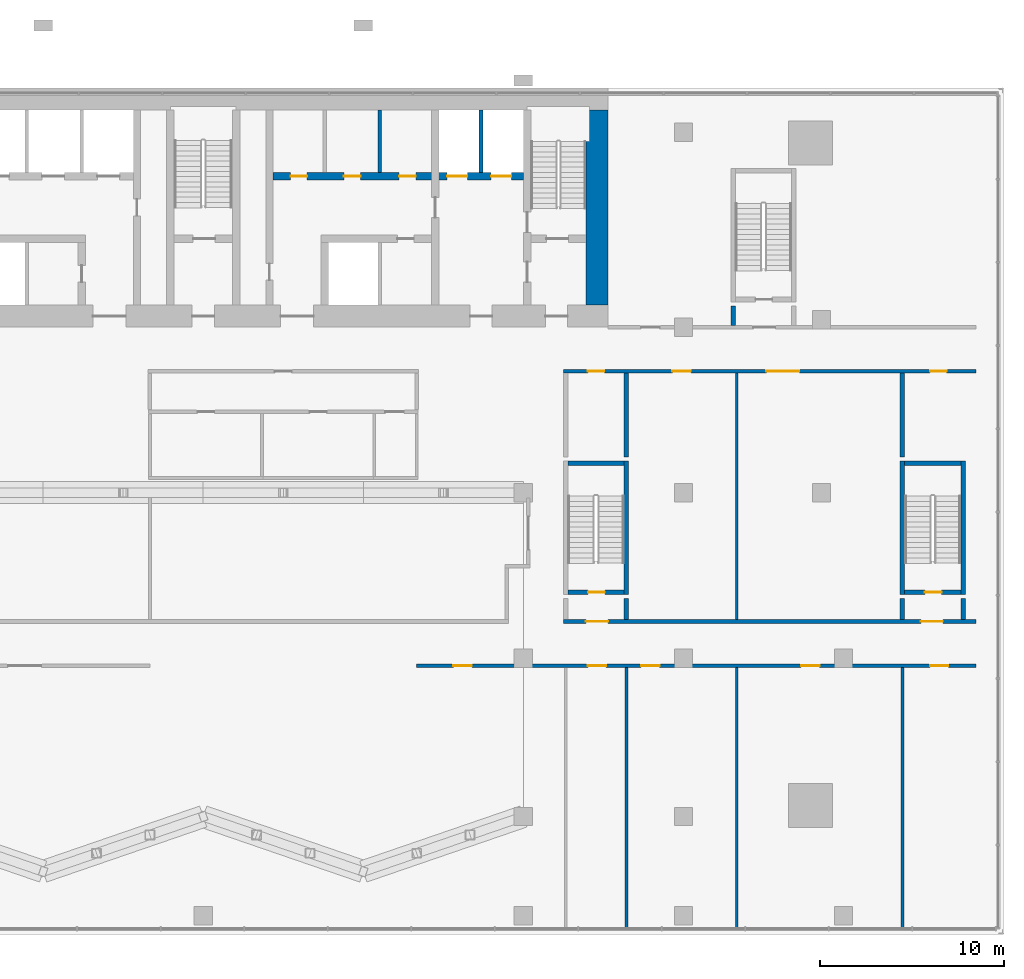
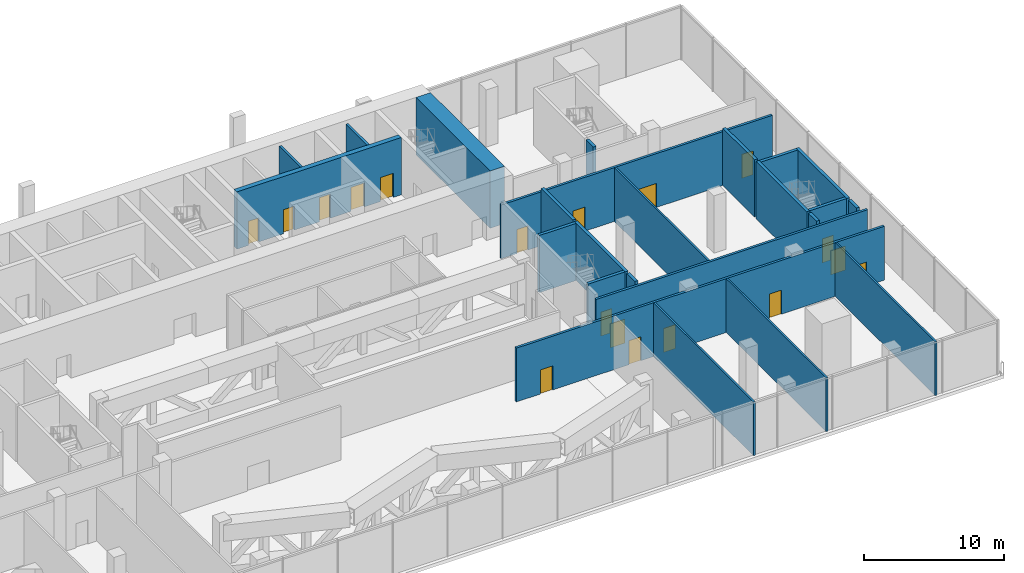
# One storey, part 16 of 22: 24 walls, 18 doors, 18 openings.
"""IFC4 building model written with IfcOpenShell, lengths in metres."""

from ifc_helpers import new_model, si_unit, direction, frame, frame_2d, origin, place, context, subcontext, project, spatial, rectangle, extrude, material, layer, layer_set, type_object, element, fill, save


model = new_model("IFC4")

# Units and contexts
model_context = context("Model", 3, precision=1e-05, world=origin(), true_north=direction((0.0, 1.0)))
body_context = subcontext(model_context, "Body", "Model", "MODEL_VIEW")
ifc_project = project(units=[si_unit("LENGTHUNIT", "METRE"), si_unit("AREAUNIT", "SQUARE_METRE"), si_unit("VOLUMEUNIT", "CUBIC_METRE"), si_unit("PLANEANGLEUNIT", "RADIAN"), si_unit("MASSUNIT", "GRAM", prefix="KILO")], contexts=[model_context])

# Site, building, storey
site_placement = place(None, origin())
site = spatial("IfcSite", under=ifc_project, at=site_placement, CompositionType="ELEMENT")
building_placement = place(site_placement, origin())
building = spatial("IfcBuilding", under=site, at=building_placement, Name="Bicima Exchange Tower", CompositionType="ELEMENT")
storey_placement = place(building_placement, frame((0.0, 0.0, 20.0)))
storey = spatial("IfcBuildingStorey", under=building, at=storey_placement, Name="L03", CompositionType="ELEMENT", Elevation=20.0)

# Wall
ifc_material_1 = material(Name="Gypsum board partition")
ifc_layer_1 = layer(ifc_material_1, 0.199951171875)
ifc_layer_set_1 = layer_set([ifc_layer_1], Name="Gypsum board partition")
wall_type_1 = type_object("IfcWallType", Name="Fire-rated gypsum partition 200 EI120", PredefinedType="PARTITIONING", material=ifc_layer_set_1)
wall_1_placement = place(storey_placement, frame((15.10009765625, -4.60009765625, 0.0), z_axis=(0.0, 0.0, 1.0), x_axis=(0.0, 1.0, 0.0)))
element("IfcWall", 1, at=wall_1_placement, inside=storey, type_object=wall_type_1, Name="partition wall 24", PredefinedType="PARTITIONING", context=body_context, shape_type="SweptSolid", body=[
    extrude(rectangle(XDim=3.400146484375, YDim=0.199951171875, at=frame_2d((1.7001953125, 0.0))), origin(), (0.0, 0.0, 1.0), 4.699951171875),
])

# Wall, openings, doors
ifc_layer_2 = layer(ifc_material_1, 0.199951171875)
ifc_layer_set_2 = layer_set([ifc_layer_2], Name="Gypsum board partition")
wall_type_2 = type_object("IfcWallType", Name="Fire-rated gypsum partition 200 EI60", PredefinedType="PARTITIONING", material=ifc_layer_set_2)
wall_2_placement = place(storey_placement, frame((11.60009765625, -31.39990234375, 0.0), z_axis=(0.0, 0.0, 1.0), x_axis=(1.0, 0.0, 0.0)))
wall_2 = element("IfcWall", 2, at=wall_2_placement, inside=storey, type_object=wall_type_2, Name="partition wall 2", PredefinedType="PARTITIONING", context=body_context, shape_type="SweptSolid", body=[
    extrude(rectangle(XDim=30.39990234375, YDim=0.199951171875, at=frame_2d((15.199951171875, 0.0))), origin(), (0.0, 0.0, 1.0), 4.699951171875),
])
opening_1_placement = place(wall_2_placement, frame((2.0, 0.0, 0.0)))
opening_1 = element("IfcOpeningElement", 3, at=opening_1_placement, cuts=wall_2, Name="Opening L03-030", PredefinedType="OPENING", context=body_context, shape_type="SweptSolid", body=[
    extrude(rectangle(XDim=1.0, YDim=2.10009765625, at=frame_2d((0.5, 1.050048828125))), frame((0.0, 0.11181640625, 0.0), z_axis=(0.0, -1.0, 0.0), x_axis=(1.0, 0.0, 0.0)), (0.0, 0.0, 1.0), 0.223876953125),
])
opening_2_placement = place(wall_2_placement, frame((9.300048828125, 0.0, 0.0)))
opening_2 = element("IfcOpeningElement", 4, at=opening_2_placement, cuts=wall_2, Name="Opening L03-032", PredefinedType="OPENING", context=body_context, shape_type="SweptSolid", body=[
    extrude(rectangle(XDim=1.0, YDim=2.10009765625, at=frame_2d((0.5, 1.050048828125))), frame((0.0, 0.11181640625, 0.0), z_axis=(0.0, -1.0, 0.0), x_axis=(1.0, 0.0, 0.0)), (0.0, 0.0, 1.0), 0.223876953125),
])
opening_3_placement = place(wall_2_placement, frame((12.199951171875, 0.0, 0.0)))
opening_3 = element("IfcOpeningElement", 5, at=opening_3_placement, cuts=wall_2, Name="Opening L03-034", PredefinedType="OPENING", context=body_context, shape_type="SweptSolid", body=[
    extrude(rectangle(XDim=1.0, YDim=2.10009765625, at=frame_2d((0.5, 1.050048828125))), frame((0.0, 0.11181640625, 0.0), z_axis=(0.0, -1.0, 0.0), x_axis=(1.0, 0.0, 0.0)), (0.0, 0.0, 1.0), 0.223876953125),
])
opening_4_placement = place(wall_2_placement, frame((20.89990234375, 0.0, 0.0)))
opening_4 = element("IfcOpeningElement", 6, at=opening_4_placement, cuts=wall_2, Name="Opening L03-036", PredefinedType="OPENING", context=body_context, shape_type="SweptSolid", body=[
    extrude(rectangle(XDim=1.0, YDim=2.10009765625, at=frame_2d((0.5, 1.050048828125))), frame((0.0, 0.11181640625, 0.0), z_axis=(0.0, -1.0, 0.0), x_axis=(1.0, 0.0, 0.0)), (0.0, 0.0, 1.0), 0.223876953125),
])
opening_5_placement = place(wall_2_placement, frame((27.89990234375, 0.0, 0.0)))
opening_5 = element("IfcOpeningElement", 7, at=opening_5_placement, cuts=wall_2, Name="Opening L03-038", PredefinedType="OPENING", context=body_context, shape_type="SweptSolid", body=[
    extrude(rectangle(XDim=1.0, YDim=2.10009765625, at=frame_2d((0.5, 1.050048828125))), frame((0.0, 0.11181640625, 0.0), z_axis=(0.0, -1.0, 0.0), x_axis=(1.0, 0.0, 0.0)), (0.0, 0.0, 1.0), 0.223876953125),
])
ifc_material_2 = material(Name="Steel fire door leaf", Category="steel")
door_type_1 = type_object("IfcDoorType", Name="Door 1000 swing FD30S", OperationType="SINGLE_SWING_LEFT", PredefinedType="DOOR", material=ifc_material_2)
door_1_placement = place(opening_1_placement, frame((1.0, 0.0, 0.0), z_axis=(0.0, 0.0, 1.0), x_axis=(-1.0, 0.0, 0.0)))
door_1 = element("IfcDoor", 8, at=door_1_placement, inside=storey, type_object=door_type_1, Name="Door", OperationType="SINGLE_SWING_RIGHT", OverallHeight=2.10009765625, OverallWidth=1.0, PredefinedType="DOOR", context=body_context, shape_type="SweptSolid", body=[
    extrude(rectangle(XDim=1.0, YDim=2.10009765625, at=frame_2d((0.5, 1.050048828125))), frame((0.0, 0.02490234375, 0.0), z_axis=(0.0, -1.0, 0.0), x_axis=(1.0, 0.0, 0.0)), (0.0, 0.0, 1.0), 0.050048828125),
])
fill(opening_1, door_1)
door_2_placement = place(opening_2_placement, frame((1.0, 0.0, 0.0), z_axis=(0.0, 0.0, 1.0), x_axis=(-1.0, 0.0, 0.0)))
door_2 = element("IfcDoor", 9, at=door_2_placement, inside=storey, type_object=door_type_1, Name="Door", OperationType="SINGLE_SWING_RIGHT", OverallHeight=2.10009765625, OverallWidth=1.0, PredefinedType="DOOR", context=body_context, shape_type="SweptSolid", body=[
    extrude(rectangle(XDim=1.0, YDim=2.10009765625, at=frame_2d((0.5, 1.050048828125))), frame((0.0, 0.02490234375, 0.0), z_axis=(0.0, -1.0, 0.0), x_axis=(1.0, 0.0, 0.0)), (0.0, 0.0, 1.0), 0.050048828125),
])
fill(opening_2, door_2)
door_3_placement = place(opening_3_placement, frame((1.0, 0.0, 0.0), z_axis=(0.0, 0.0, 1.0), x_axis=(-1.0, 0.0, 0.0)))
door_3 = element("IfcDoor", 10, at=door_3_placement, inside=storey, type_object=door_type_1, Name="Door", OperationType="SINGLE_SWING_LEFT", OverallHeight=2.10009765625, OverallWidth=1.0, PredefinedType="DOOR", context=body_context, shape_type="SweptSolid", body=[
    extrude(rectangle(XDim=1.0, YDim=2.10009765625, at=frame_2d((0.5, 1.050048828125))), frame((0.0, 0.02490234375, 0.0), z_axis=(0.0, -1.0, 0.0), x_axis=(1.0, 0.0, 0.0)), (0.0, 0.0, 1.0), 0.050048828125),
])
fill(opening_3, door_3)
door_4_placement = place(opening_4_placement, frame((1.0, 0.0, 0.0), z_axis=(0.0, 0.0, 1.0), x_axis=(-1.0, 0.0, 0.0)))
door_4 = element("IfcDoor", 11, at=door_4_placement, inside=storey, type_object=door_type_1, Name="Door", OperationType="SINGLE_SWING_RIGHT", OverallHeight=2.10009765625, OverallWidth=1.0, PredefinedType="DOOR", context=body_context, shape_type="SweptSolid", body=[
    extrude(rectangle(XDim=1.0, YDim=2.10009765625, at=frame_2d((0.5, 1.050048828125))), frame((0.0, 0.02490234375, 0.0), z_axis=(0.0, -1.0, 0.0), x_axis=(1.0, 0.0, 0.0)), (0.0, 0.0, 1.0), 0.050048828125),
])
fill(opening_4, door_4)
door_5_placement = place(opening_5_placement, frame((1.0, 0.0, 0.0), z_axis=(0.0, 0.0, 1.0), x_axis=(-1.0, 0.0, 0.0)))
door_5 = element("IfcDoor", 12, at=door_5_placement, inside=storey, type_object=door_type_1, Name="Door", OperationType="SINGLE_SWING_RIGHT", OverallHeight=2.10009765625, OverallWidth=1.0, PredefinedType="DOOR", context=body_context, shape_type="SweptSolid", body=[
    extrude(rectangle(XDim=1.0, YDim=2.10009765625, at=frame_2d((0.5, 1.050048828125))), frame((0.0, 0.02490234375, 0.0), z_axis=(0.0, -1.0, 0.0), x_axis=(1.0, 0.0, 0.0)), (0.0, 0.0, 1.0), 0.050048828125),
])
fill(opening_5, door_5)

wall_3_placement = place(storey_placement, frame((19.574951171875, -29.0, 0.0), z_axis=(0.0, 0.0, 1.0), x_axis=(1.0, 0.0, 0.0)))
wall_3 = element("IfcWall", 13, at=wall_3_placement, inside=storey, type_object=wall_type_2, Name="partition wall 5", PredefinedType="PARTITIONING", context=body_context, shape_type="SweptSolid", body=[
    extrude(rectangle(XDim=22.425048828125, YDim=0.199951171875, at=frame_2d((11.21240234375, 0.0))), origin(), (0.0, 0.0, 1.0), 4.699951171875),
])
opening_6_placement = place(wall_3_placement, frame((1.22509765625, 0.0, 0.0)))
opening_6 = element("IfcOpeningElement", 14, at=opening_6_placement, cuts=wall_3, Name="Opening L03-005", PredefinedType="OPENING", context=body_context, shape_type="SweptSolid", body=[
    extrude(rectangle(XDim=1.199951171875, YDim=2.10009765625, at=frame_2d((0.60009765625, 1.050048828125))), frame((0.0, 0.11181640625, 0.0), z_axis=(0.0, -1.0, 0.0), x_axis=(1.0, 0.0, 0.0)), (0.0, 0.0, 1.0), 0.223876953125),
])
opening_7_placement = place(wall_3_placement, frame((19.425048828125, 0.0, 0.0)))
opening_7 = element("IfcOpeningElement", 15, at=opening_7_placement, cuts=wall_3, Name="Opening L03-007", PredefinedType="OPENING", context=body_context, shape_type="SweptSolid", body=[
    extrude(rectangle(XDim=1.199951171875, YDim=2.10009765625, at=frame_2d((0.60009765625, 1.050048828125))), frame((0.0, 0.11181640625, 0.0), z_axis=(0.0, -1.0, 0.0), x_axis=(1.0, 0.0, 0.0)), (0.0, 0.0, 1.0), 0.223876953125),
])
door_type_2 = type_object("IfcDoorType", Name="Door 1200 swing FD30S", OperationType="SINGLE_SWING_LEFT", PredefinedType="DOOR", material=ifc_material_2)
door_6_placement = place(opening_6_placement, origin())
door_6 = element("IfcDoor", 16, at=door_6_placement, inside=storey, type_object=door_type_2, Name="Door", OperationType="SINGLE_SWING_LEFT", OverallHeight=2.10009765625, OverallWidth=1.199951171875, PredefinedType="DOOR", context=body_context, shape_type="SweptSolid", body=[
    extrude(rectangle(XDim=1.199951171875, YDim=2.10009765625, at=frame_2d((0.60009765625, 1.050048828125))), frame((0.0, 0.02490234375, 0.0), z_axis=(0.0, -1.0, 0.0), x_axis=(1.0, 0.0, 0.0)), (0.0, 0.0, 1.0), 0.050048828125),
])
fill(opening_6, door_6)
door_7_placement = place(opening_7_placement, origin())
door_7 = element("IfcDoor", 17, at=door_7_placement, inside=storey, type_object=door_type_2, Name="Door", OperationType="SINGLE_SWING_LEFT", OverallHeight=2.10009765625, OverallWidth=1.199951171875, PredefinedType="DOOR", context=body_context, shape_type="SweptSolid", body=[
    extrude(rectangle(XDim=1.199951171875, YDim=2.10009765625, at=frame_2d((0.60009765625, 1.050048828125))), frame((0.0, 0.02490234375, 0.0), z_axis=(0.0, -1.0, 0.0), x_axis=(1.0, 0.0, 0.0)), (0.0, 0.0, 1.0), 0.050048828125),
])
fill(opening_7, door_7)

wall_4_placement = place(storey_placement, frame((19.574951171875, -15.39990234375, 0.0), z_axis=(0.0, 0.0, 1.0), x_axis=(1.0, 0.0, 0.0)))
wall_4 = element("IfcWall", 18, at=wall_4_placement, inside=storey, type_object=wall_type_2, Name="partition wall 22", PredefinedType="PARTITIONING", context=body_context, shape_type="SweptSolid", body=[
    extrude(rectangle(XDim=22.425048828125, YDim=0.199951171875, at=frame_2d((11.21240234375, 0.0))), origin(), (0.0, 0.0, 1.0), 4.699951171875),
])
opening_8_placement = place(wall_4_placement, frame((1.324951171875, 0.0, 0.0)))
opening_8 = element("IfcOpeningElement", 19, at=opening_8_placement, cuts=wall_4, Name="Opening L03-031", PredefinedType="OPENING", context=body_context, shape_type="SweptSolid", body=[
    extrude(rectangle(XDim=0.89990234375, YDim=2.10009765625, at=frame_2d((0.449951171875, 1.050048828125))), frame((0.0, 0.11181640625, 0.0), z_axis=(0.0, -1.0, 0.0), x_axis=(1.0, 0.0, 0.0)), (0.0, 0.0, 1.0), 0.223876953125),
])
opening_9_placement = place(wall_4_placement, frame((5.925048828125, 0.0, 0.0)))
opening_9 = element("IfcOpeningElement", 20, at=opening_9_placement, cuts=wall_4, Name="Opening L03-033", PredefinedType="OPENING", context=body_context, shape_type="SweptSolid", body=[
    extrude(rectangle(XDim=1.0, YDim=2.10009765625, at=frame_2d((0.5, 1.050048828125))), frame((0.0, 0.11181640625, 0.0), z_axis=(0.0, -1.0, 0.0), x_axis=(1.0, 0.0, 0.0)), (0.0, 0.0, 1.0), 0.223876953125),
])
opening_10_placement = place(wall_4_placement, frame((11.02490234375, 0.0, 0.0)))
opening_10 = element("IfcOpeningElement", 21, at=opening_10_placement, cuts=wall_4, Name="Opening L03-035", PredefinedType="OPENING", context=body_context, shape_type="SweptSolid", body=[
    extrude(rectangle(XDim=1.800048828125, YDim=2.10009765625, at=frame_2d((0.89990234375, 1.050048828125))), frame((0.0, 0.11181640625, 0.0), z_axis=(0.0, -1.0, 0.0), x_axis=(1.0, 0.0, 0.0)), (0.0, 0.0, 1.0), 0.223876953125),
])
opening_11_placement = place(wall_4_placement, frame((19.925048828125, 0.0, 0.0)))
opening_11 = element("IfcOpeningElement", 22, at=opening_11_placement, cuts=wall_4, Name="Opening L03-037", PredefinedType="OPENING", context=body_context, shape_type="SweptSolid", body=[
    extrude(rectangle(XDim=0.89990234375, YDim=2.10009765625, at=frame_2d((0.449951171875, 1.050048828125))), frame((0.0, 0.11181640625, 0.0), z_axis=(0.0, -1.0, 0.0), x_axis=(1.0, 0.0, 0.0)), (0.0, 0.0, 1.0), 0.223876953125),
])
door_8_placement = place(opening_9_placement, frame((1.0, 0.0, 0.0), z_axis=(0.0, 0.0, 1.0), x_axis=(-1.0, 0.0, 0.0)))
door_8 = element("IfcDoor", 23, at=door_8_placement, inside=storey, type_object=door_type_1, Name="Door", OperationType="SINGLE_SWING_RIGHT", OverallHeight=2.10009765625, OverallWidth=1.0, PredefinedType="DOOR", context=body_context, shape_type="SweptSolid", body=[
    extrude(rectangle(XDim=1.0, YDim=2.10009765625, at=frame_2d((0.5, 1.050048828125))), frame((0.0, 0.02490234375, 0.0), z_axis=(0.0, -1.0, 0.0), x_axis=(1.0, 0.0, 0.0)), (0.0, 0.0, 1.0), 0.050048828125),
])
fill(opening_9, door_8)
door_type_3 = type_object("IfcDoorType", Name="Door 1800 double swing FD30S", OperationType="DOUBLE_DOOR_SINGLE_SWING", PredefinedType="DOOR", material=ifc_material_2)
door_9_placement = place(opening_10_placement, origin())
door_9 = element("IfcDoor", 24, at=door_9_placement, inside=storey, type_object=door_type_3, Name="Door", OperationType="SINGLE_SWING_LEFT", OverallHeight=2.10009765625, OverallWidth=1.800048828125, PredefinedType="DOOR", context=body_context, shape_type="SweptSolid", body=[
    extrude(rectangle(XDim=1.800048828125, YDim=2.10009765625, at=frame_2d((0.89990234375, 1.050048828125))), frame((0.0, 0.02490234375, 0.0), z_axis=(0.0, -1.0, 0.0), x_axis=(1.0, 0.0, 0.0)), (0.0, 0.0, 1.0), 0.050048828125),
])
fill(opening_10, door_9)
door_type_4 = type_object("IfcDoorType", Name="Door 900 swing FD30S", OperationType="SINGLE_SWING_LEFT", PredefinedType="DOOR", material=ifc_material_2)
door_10_placement = place(opening_8_placement, frame((0.89990234375, 0.0, 0.0), z_axis=(0.0, 0.0, 1.0), x_axis=(-1.0, 0.0, 0.0)))
door_10 = element("IfcDoor", 25, at=door_10_placement, inside=storey, type_object=door_type_4, Name="Door", OperationType="SINGLE_SWING_LEFT", OverallHeight=2.10009765625, OverallWidth=0.89990234375, PredefinedType="DOOR", context=body_context, shape_type="SweptSolid", body=[
    extrude(rectangle(XDim=0.89990234375, YDim=2.10009765625, at=frame_2d((0.449951171875, 1.050048828125))), frame((0.0, 0.02490234375, 0.0), z_axis=(0.0, -1.0, 0.0), x_axis=(1.0, 0.0, 0.0)), (0.0, 0.0, 1.0), 0.050048828125),
])
fill(opening_8, door_10)
door_11_placement = place(opening_11_placement, frame((0.89990234375, 0.0, 0.0), z_axis=(0.0, 0.0, 1.0), x_axis=(-1.0, 0.0, 0.0)))
door_11 = element("IfcDoor", 26, at=door_11_placement, inside=storey, type_object=door_type_4, Name="Door", OperationType="SINGLE_SWING_LEFT", OverallHeight=2.10009765625, OverallWidth=0.89990234375, PredefinedType="DOOR", context=body_context, shape_type="SweptSolid", body=[
    extrude(rectangle(XDim=0.89990234375, YDim=2.10009765625, at=frame_2d((0.449951171875, 1.050048828125))), frame((0.0, 0.02490234375, 0.0), z_axis=(0.0, -1.0, 0.0), x_axis=(1.0, 0.0, 0.0)), (0.0, 0.0, 1.0), 0.050048828125),
])
fill(opening_11, door_11)

# Walls
wall_5_placement = place(storey_placement, frame((9.60009765625, -4.60009765625, 0.0), z_axis=(0.0, 0.0, 1.0), x_axis=(0.0, 1.0, 0.0)))
element("IfcWall", 27, at=wall_5_placement, inside=storey, type_object=wall_type_2, Name="partition wall 22", PredefinedType="PARTITIONING", context=body_context, shape_type="SweptSolid", body=[
    extrude(rectangle(XDim=3.400146484375, YDim=0.199951171875, at=frame_2d((1.7001953125, 0.0))), origin(), (0.0, 0.0, 1.0), 4.699951171875),
])
ifc_layer_3 = layer(ifc_material_1, 0.14990234375)
ifc_layer_set_3 = layer_set([ifc_layer_3], Name="Gypsum board partition")
wall_type_3 = type_object("IfcWallType", Name="Gypsum partition 150", PredefinedType="PARTITIONING", material=ifc_layer_set_3)
for number, where, z_axis, x_axis, name in (
    (28, (23.0, -45.7900390625, 0.0), (0.0, 0.0, 1.0), (0.0, 1.0, 0.0), "partition wall 55"),
    (29, (29.0, -45.7900390625, 0.0), (0.0, 0.0, 1.0), (0.0, 1.0, 0.0), "partition wall 58"),
):
    element("IfcWall", number, at=place(storey_placement, frame(where, z_axis=z_axis, x_axis=x_axis)), inside=storey, type_object=wall_type_3, Name=name, PredefinedType="PARTITIONING", context=body_context, shape_type="SweptSolid", body=[
        extrude(rectangle(XDim=14.2900390625, YDim=0.14990234375, at=frame_2d((7.14501953125, 0.0))), origin(), (0.0, 0.0, 1.0), 4.699951171875),
    ])
wall_6_placement = place(storey_placement, frame((29.0, -28.89990234375, 0.0), z_axis=(0.0, 0.0, 1.0), x_axis=(0.0, 1.0, 0.0)))
element("IfcWall", 30, at=wall_6_placement, inside=storey, type_object=wall_type_3, Name="partition wall 59", PredefinedType="PARTITIONING", context=body_context, shape_type="SweptSolid", body=[
    extrude(rectangle(XDim=13.39990234375, YDim=0.14990234375, at=frame_2d((6.699951171875, 0.0))), origin(), (0.0, 0.0, 1.0), 4.699951171875),
])
wall_7_placement = place(storey_placement, frame((38.0, -45.7900390625, 0.0), z_axis=(0.0, 0.0, 1.0), x_axis=(0.0, 1.0, 0.0)))
element("IfcWall", 31, at=wall_7_placement, inside=storey, type_object=wall_type_3, Name="partition wall 61", PredefinedType="PARTITIONING", context=body_context, shape_type="SweptSolid", body=[
    extrude(rectangle(XDim=14.2900390625, YDim=0.14990234375, at=frame_2d((7.14501953125, 0.0))), origin(), (0.0, 0.0, 1.0), 4.699951171875),
])
ifc_material_3 = material(Name="Concrete C60/75", Category="concrete")
ifc_layer_4 = layer(ifc_material_3, 1.199951171875)
ifc_layer_set_4 = layer_set([ifc_layer_4], Name="Concrete C60/75")
wall_type_4 = type_object("IfcWallType", Name="RC core wall 1200 C60/75", PredefinedType="SHEAR", material=ifc_layer_set_4)
wall_8_placement = place(storey_placement, frame((21.39990234375, -11.800048828125, 0.0), z_axis=(0.0, 0.0, 1.0), x_axis=(0.0, 1.0, 0.0)))
element("IfcWall", 32, at=wall_8_placement, inside=storey, type_object=wall_type_4, Name="Core wall east", PredefinedType="SHEAR", context=body_context, shape_type="SweptSolid", body=[
    extrude(rectangle(XDim=10.60009765625, YDim=1.199951171875, at=frame_2d((5.300048828125, 0.0))), origin(), (0.0, 0.0, 1.0), 5.0),
])
ifc_material_4 = material(Name="Concrete C50/60", Category="concrete")
ifc_layer_5 = layer(ifc_material_4, 0.25)
ifc_layer_set_5 = layer_set([ifc_layer_5], Name="Concrete C50/60")
wall_type_5 = type_object("IfcWallType", Name="RC core wall 250 C50/60", PredefinedType="SHEAR", material=ifc_layer_set_5)
wall_9_placement = place(storey_placement, frame((23.0, -28.89990234375, 0.0), z_axis=(0.0, 0.0, 1.0), x_axis=(0.0, 1.0, 0.0)))
element("IfcWall", 33, at=wall_9_placement, inside=storey, type_object=wall_type_5, Name="stair wall 56", PredefinedType="SHEAR", context=body_context, shape_type="SweptSolid", body=[
    extrude(rectangle(XDim=1.14990234375, YDim=0.25, at=frame_2d((0.574951171875, 0.0))), origin(), (0.0, 0.0, 1.0), 5.0),
])
wall_10_placement = place(storey_placement, frame((23.0, -20.050048828125, 0.0), z_axis=(0.0, 0.0, 1.0), x_axis=(0.0, 1.0, 0.0)))
element("IfcWall", 34, at=wall_10_placement, inside=storey, type_object=wall_type_5, Name="stair wall 56", PredefinedType="SHEAR", context=body_context, shape_type="SweptSolid", body=[
    extrude(rectangle(XDim=4.550048828125, YDim=0.25, at=frame_2d((2.27490234375, 0.0))), origin(), (0.0, 0.0, 1.0), 5.0),
])
wall_11_placement = place(storey_placement, frame((28.800048828125, -12.89990234375, 0.0), z_axis=(0.0, 0.0, 1.0), x_axis=(0.0, 1.0, 0.0)))
element("IfcWall", 35, at=wall_11_placement, inside=storey, type_object=wall_type_5, Name="stair wall 57", PredefinedType="SHEAR", context=body_context, shape_type="SweptSolid", body=[
    extrude(rectangle(XDim=1.0498046875, YDim=0.25, at=frame_2d((0.52490234375, 0.0))), origin(), (0.0, 0.0, 1.0), 5.0),
])
wall_12_placement = place(storey_placement, frame((38.0, -28.89990234375, 0.0), z_axis=(0.0, 0.0, 1.0), x_axis=(0.0, 1.0, 0.0)))
element("IfcWall", 36, at=wall_12_placement, inside=storey, type_object=wall_type_5, Name="stair wall 62", PredefinedType="SHEAR", context=body_context, shape_type="SweptSolid", body=[
    extrude(rectangle(XDim=1.14990234375, YDim=0.25, at=frame_2d((0.574951171875, 0.0))), origin(), (0.0, 0.0, 1.0), 5.0),
])
wall_13_placement = place(storey_placement, frame((38.0, -20.050048828125, 0.0), z_axis=(0.0, 0.0, 1.0), x_axis=(0.0, 1.0, 0.0)))
element("IfcWall", 37, at=wall_13_placement, inside=storey, type_object=wall_type_5, Name="stair wall 62", PredefinedType="SHEAR", context=body_context, shape_type="SweptSolid", body=[
    extrude(rectangle(XDim=4.550048828125, YDim=0.25, at=frame_2d((2.27490234375, 0.0))), origin(), (0.0, 0.0, 1.0), 5.0),
])
wall_14_placement = place(storey_placement, frame((41.300048828125, -28.89990234375, 0.0), z_axis=(0.0, 0.0, 1.0), x_axis=(0.0, 1.0, 0.0)))
element("IfcWall", 38, at=wall_14_placement, inside=storey, type_object=wall_type_5, Name="stair wall 63", PredefinedType="SHEAR", context=body_context, shape_type="SweptSolid", body=[
    extrude(rectangle(XDim=1.14990234375, YDim=0.25, at=frame_2d((0.574951171875, 0.0))), origin(), (0.0, 0.0, 1.0), 5.0),
])

# Wall, openings, doors
ifc_layer_6 = layer(ifc_material_3, 0.39990234375)
ifc_layer_set_6 = layer_set([ifc_layer_6], Name="Concrete C60/75")
wall_type_6 = type_object("IfcWallType", Name="RC core wall 400 C60/75", PredefinedType="SHEAR", material=ifc_layer_set_6)
wall_15_placement = place(storey_placement, frame((3.800048828125, -4.800048828125, 0.0), z_axis=(0.0, 0.0, 1.0), x_axis=(1.0, 0.0, 0.0)))
wall_15 = element("IfcWall", 39, at=wall_15_placement, inside=storey, type_object=wall_type_6, Name="shear wall 7", PredefinedType="SHEAR", context=body_context, shape_type="SweptSolid", body=[
    extrude(rectangle(XDim=13.599853515625, YDim=0.39990234375, at=frame_2d((6.7998046875, 0.0))), origin(), (0.0, 0.0, 1.0), 5.0),
])
opening_12_placement = place(wall_15_placement, frame((9.449951171875, 0.0, 0.0)))
opening_12 = element("IfcOpeningElement", 40, at=opening_12_placement, cuts=wall_15, Name="Opening LD-FF2-L03", PredefinedType="OPENING", context=body_context, shape_type="SweptSolid", body=[
    extrude(rectangle(XDim=1.10009765625, YDim=2.10009765625, at=frame_2d((0.550048828125, 1.050048828125))), frame((0.0, 0.2119140625, 0.0), z_axis=(0.0, -1.0, 0.0), x_axis=(1.0, 0.0, 0.0)), (0.0, 0.0, 1.0), 0.423828125),
])
opening_13_placement = place(wall_15_placement, frame((11.85009765625, 0.0, 0.0)))
opening_13 = element("IfcOpeningElement", 41, at=opening_13_placement, cuts=wall_15, Name="Opening LD-SV1-L03", PredefinedType="OPENING", context=body_context, shape_type="SweptSolid", body=[
    extrude(rectangle(XDim=1.10009765625, YDim=2.10009765625, at=frame_2d((0.550048828125, 1.050048828125))), frame((0.0, 0.2119140625, 0.0), z_axis=(0.0, -1.0, 0.0), x_axis=(1.0, 0.0, 0.0)), (0.0, 0.0, 1.0), 0.423828125),
])
opening_14_placement = place(wall_15_placement, frame((0.949951171875, 0.0, 0.0)))
opening_14 = element("IfcOpeningElement", 42, at=opening_14_placement, cuts=wall_15, Name="Opening L03-C12", PredefinedType="OPENING", context=body_context, shape_type="SweptSolid", body=[
    extrude(rectangle(XDim=0.89990234375, YDim=2.10009765625, at=frame_2d((0.449951171875, 1.050048828125))), frame((0.0, 0.2119140625, 0.0), z_axis=(0.0, -1.0, 0.0), x_axis=(1.0, 0.0, 0.0)), (0.0, 0.0, 1.0), 0.423828125),
])
opening_15_placement = place(wall_15_placement, frame((3.85009765625, 0.0, 0.0)))
opening_15 = element("IfcOpeningElement", 43, at=opening_15_placement, cuts=wall_15, Name="Opening L03-C13", PredefinedType="OPENING", context=body_context, shape_type="SweptSolid", body=[
    extrude(rectangle(XDim=0.89990234375, YDim=2.10009765625, at=frame_2d((0.449951171875, 1.050048828125))), frame((0.0, 0.2119140625, 0.0), z_axis=(0.0, -1.0, 0.0), x_axis=(1.0, 0.0, 0.0)), (0.0, 0.0, 1.0), 0.423828125),
])
opening_16_placement = place(wall_15_placement, frame((6.85009765625, 0.0, 0.0)))
opening_16 = element("IfcOpeningElement", 44, at=opening_16_placement, cuts=wall_15, Name="Opening L03-C14", PredefinedType="OPENING", context=body_context, shape_type="SweptSolid", body=[
    extrude(rectangle(XDim=0.89990234375, YDim=2.10009765625, at=frame_2d((0.449951171875, 1.050048828125))), frame((0.0, 0.2119140625, 0.0), z_axis=(0.0, -1.0, 0.0), x_axis=(1.0, 0.0, 0.0)), (0.0, 0.0, 1.0), 0.423828125),
])
door_12_placement = place(opening_14_placement, origin())
door_12 = element("IfcDoor", 45, at=door_12_placement, inside=storey, type_object=door_type_4, Name="Core door", OperationType="SINGLE_SWING_RIGHT", OverallHeight=2.10009765625, OverallWidth=0.89990234375, PredefinedType="DOOR", context=body_context, shape_type="SweptSolid", body=[
    extrude(rectangle(XDim=0.89990234375, YDim=2.10009765625, at=frame_2d((0.449951171875, 1.050048828125))), frame((0.0, 0.02490234375, 0.0), z_axis=(0.0, -1.0, 0.0), x_axis=(1.0, 0.0, 0.0)), (0.0, 0.0, 1.0), 0.050048828125),
])
fill(opening_14, door_12)
door_13_placement = place(opening_15_placement, origin())
door_13 = element("IfcDoor", 46, at=door_13_placement, inside=storey, type_object=door_type_4, Name="Core door", OperationType="SINGLE_SWING_LEFT", OverallHeight=2.10009765625, OverallWidth=0.89990234375, PredefinedType="DOOR", context=body_context, shape_type="SweptSolid", body=[
    extrude(rectangle(XDim=0.89990234375, YDim=2.10009765625, at=frame_2d((0.449951171875, 1.050048828125))), frame((0.0, 0.02490234375, 0.0), z_axis=(0.0, -1.0, 0.0), x_axis=(1.0, 0.0, 0.0)), (0.0, 0.0, 1.0), 0.050048828125),
])
fill(opening_15, door_13)
door_14_placement = place(opening_16_placement, origin())
door_14 = element("IfcDoor", 47, at=door_14_placement, inside=storey, type_object=door_type_4, Name="Core door", OperationType="SINGLE_SWING_RIGHT", OverallHeight=2.10009765625, OverallWidth=0.89990234375, PredefinedType="DOOR", context=body_context, shape_type="SweptSolid", body=[
    extrude(rectangle(XDim=0.89990234375, YDim=2.10009765625, at=frame_2d((0.449951171875, 1.050048828125))), frame((0.0, 0.02490234375, 0.0), z_axis=(0.0, -1.0, 0.0), x_axis=(1.0, 0.0, 0.0)), (0.0, 0.0, 1.0), 0.050048828125),
])
fill(opening_16, door_14)
ifc_material_5 = material(Name="Stainless steel", Category="steel")
door_type_5 = type_object("IfcDoorType", Name="Lift landing door 1100 sliding", OperationType="DOUBLE_DOOR_SLIDING", PredefinedType="DOOR", material=ifc_material_5)
door_15_placement = place(opening_12_placement, origin())
door_15 = element("IfcDoor", 48, at=door_15_placement, inside=storey, type_object=door_type_5, Name="Lift landing door FF2", OperationType="DOUBLE_DOOR_SLIDING", OverallHeight=2.10009765625, OverallWidth=1.10009765625, PredefinedType="DOOR", context=body_context, shape_type="SweptSolid", body=[
    extrude(rectangle(XDim=1.10009765625, YDim=2.10009765625, at=frame_2d((0.550048828125, 1.050048828125))), frame((0.0, 0.02490234375, 0.0), z_axis=(0.0, -1.0, 0.0), x_axis=(1.0, 0.0, 0.0)), (0.0, 0.0, 1.0), 0.050048828125),
])
fill(opening_12, door_15)
door_16_placement = place(opening_13_placement, origin())
door_16 = element("IfcDoor", 49, at=door_16_placement, inside=storey, type_object=door_type_5, Name="Lift landing door SV1", OperationType="DOUBLE_DOOR_SLIDING", OverallHeight=2.10009765625, OverallWidth=1.10009765625, PredefinedType="DOOR", context=body_context, shape_type="SweptSolid", body=[
    extrude(rectangle(XDim=1.10009765625, YDim=2.10009765625, at=frame_2d((0.550048828125, 1.050048828125))), frame((0.0, 0.02490234375, 0.0), z_axis=(0.0, -1.0, 0.0), x_axis=(1.0, 0.0, 0.0)), (0.0, 0.0, 1.0), 0.050048828125),
])
fill(opening_13, door_16)

# Wall
ifc_layer_7 = layer(ifc_material_4, 0.25)
ifc_layer_set_7 = layer_set([ifc_layer_7], Name="Concrete C50/60")
wall_type_7 = type_object("IfcWallType", Name="RC stair enclosure wall 250 C50/60", PredefinedType="SHEAR", material=ifc_layer_set_7)
wall_16_placement = place(storey_placement, frame((23.0, -27.52490234375, 0.0), z_axis=(0.0, 0.0, 1.0), x_axis=(0.0, 1.0, 0.0)))
element("IfcWall", 50, at=wall_16_placement, inside=storey, type_object=wall_type_7, Name="Podium inner east stair wall E", PredefinedType="SHEAR", context=body_context, shape_type="SweptSolid", body=[
    extrude(rectangle(XDim=7.25, YDim=0.25, at=frame_2d((3.625, 0.0))), origin(), (0.0, 0.0, 1.0), 5.0),
])

# Wall, opening, door
wall_17_placement = place(storey_placement, frame((19.824951171875, -27.39990234375, 0.0), z_axis=(0.0, 0.0, 1.0), x_axis=(1.0, 0.0, 0.0)))
wall_17 = element("IfcWall", 51, at=wall_17_placement, inside=storey, type_object=wall_type_7, Name="Podium inner east stair wall S", PredefinedType="SHEAR", context=body_context, shape_type="SweptSolid", body=[
    extrude(rectangle(XDim=3.050048828125, YDim=0.25, at=frame_2d((1.52490234375, 0.0))), origin(), (0.0, 0.0, 1.0), 5.0),
])
opening_17_placement = place(wall_17_placement, frame((1.10009765625, 0.0, 0.0)))
opening_17 = element("IfcOpeningElement", 52, at=opening_17_placement, cuts=wall_17, Name="Opening L03-006", PredefinedType="OPENING", context=body_context, shape_type="SweptSolid", body=[
    extrude(rectangle(XDim=0.89990234375, YDim=2.10009765625, at=frame_2d((0.449951171875, 1.050048828125))), frame((0.0, 0.136962890625, 0.0), z_axis=(0.0, -1.0, 0.0), x_axis=(1.0, 0.0, 0.0)), (0.0, 0.0, 1.0), 0.27392578125),
])
door_type_6 = type_object("IfcDoorType", Name="Door 900 swing FD60S", OperationType="SINGLE_SWING_LEFT", PredefinedType="DOOR", material=ifc_material_2)
door_17_placement = place(opening_17_placement, origin())
door_17 = element("IfcDoor", 53, at=door_17_placement, inside=storey, type_object=door_type_6, Name="Door", OperationType="SINGLE_SWING_RIGHT", OverallHeight=2.10009765625, OverallWidth=0.89990234375, PredefinedType="DOOR", context=body_context, shape_type="SweptSolid", body=[
    extrude(rectangle(XDim=0.89990234375, YDim=2.10009765625, at=frame_2d((0.449951171875, 1.050048828125))), frame((0.0, 0.02490234375, 0.0), z_axis=(0.0, -1.0, 0.0), x_axis=(1.0, 0.0, 0.0)), (0.0, 0.0, 1.0), 0.050048828125),
])
fill(opening_17, door_17)

# Walls
wall_18_placement = place(storey_placement, frame((19.824951171875, -20.39990234375, 0.0), z_axis=(0.0, 0.0, 1.0), x_axis=(1.0, 0.0, 0.0)))
element("IfcWall", 54, at=wall_18_placement, inside=storey, type_object=wall_type_7, Name="Podium inner east stair wall N", PredefinedType="SHEAR", context=body_context, shape_type="SweptSolid", body=[
    extrude(rectangle(XDim=3.050048828125, YDim=0.25, at=frame_2d((1.52490234375, 0.0))), origin(), (0.0, 0.0, 1.0), 5.0),
])
for number, where, z_axis, x_axis, name in (
    (55, (38.0, -27.52490234375, 0.0), (0.0, 0.0, 1.0), (0.0, 1.0, 0.0), "Podium east stair wall W"),
    (56, (41.300048828125, -27.52490234375, 0.0), (0.0, 0.0, 1.0), (0.0, 1.0, 0.0), "Podium east stair wall E"),
):
    element("IfcWall", number, at=place(storey_placement, frame(where, z_axis=z_axis, x_axis=x_axis)), inside=storey, type_object=wall_type_7, Name=name, PredefinedType="SHEAR", context=body_context, shape_type="SweptSolid", body=[
        extrude(rectangle(XDim=7.25, YDim=0.25, at=frame_2d((3.625, 0.0))), origin(), (0.0, 0.0, 1.0), 5.0),
    ])

# Wall, opening, door
wall_19_placement = place(storey_placement, frame((38.125, -27.39990234375, 0.0), z_axis=(0.0, 0.0, 1.0), x_axis=(1.0, 0.0, 0.0)))
wall_19 = element("IfcWall", 57, at=wall_19_placement, inside=storey, type_object=wall_type_7, Name="Podium east stair wall S", PredefinedType="SHEAR", context=body_context, shape_type="SweptSolid", body=[
    extrude(rectangle(XDim=3.050048828125, YDim=0.25, at=frame_2d((1.52490234375, 0.0))), origin(), (0.0, 0.0, 1.0), 5.0),
])
opening_18_placement = place(wall_19_placement, frame((1.10009765625, 0.0, 0.0)))
opening_18 = element("IfcOpeningElement", 58, at=opening_18_placement, cuts=wall_19, Name="Opening L03-008", PredefinedType="OPENING", context=body_context, shape_type="SweptSolid", body=[
    extrude(rectangle(XDim=0.89990234375, YDim=2.10009765625, at=frame_2d((0.449951171875, 1.050048828125))), frame((0.0, 0.136962890625, 0.0), z_axis=(0.0, -1.0, 0.0), x_axis=(1.0, 0.0, 0.0)), (0.0, 0.0, 1.0), 0.27392578125),
])
door_18_placement = place(opening_18_placement, origin())
door_18 = element("IfcDoor", 59, at=door_18_placement, inside=storey, type_object=door_type_6, Name="Door", OperationType="SINGLE_SWING_LEFT", OverallHeight=2.10009765625, OverallWidth=0.89990234375, PredefinedType="DOOR", context=body_context, shape_type="SweptSolid", body=[
    extrude(rectangle(XDim=0.89990234375, YDim=2.10009765625, at=frame_2d((0.449951171875, 1.050048828125))), frame((0.0, 0.02490234375, 0.0), z_axis=(0.0, -1.0, 0.0), x_axis=(1.0, 0.0, 0.0)), (0.0, 0.0, 1.0), 0.050048828125),
])
fill(opening_18, door_18)

# Wall
wall_20_placement = place(storey_placement, frame((38.125, -20.39990234375, 0.0), z_axis=(0.0, 0.0, 1.0), x_axis=(1.0, 0.0, 0.0)))
element("IfcWall", 60, at=wall_20_placement, inside=storey, type_object=wall_type_7, Name="Podium east stair wall N", PredefinedType="SHEAR", context=body_context, shape_type="SweptSolid", body=[
    extrude(rectangle(XDim=3.050048828125, YDim=0.25, at=frame_2d((1.52490234375, 0.0))), origin(), (0.0, 0.0, 1.0), 5.0),
])

save(model, "model.ifc")
